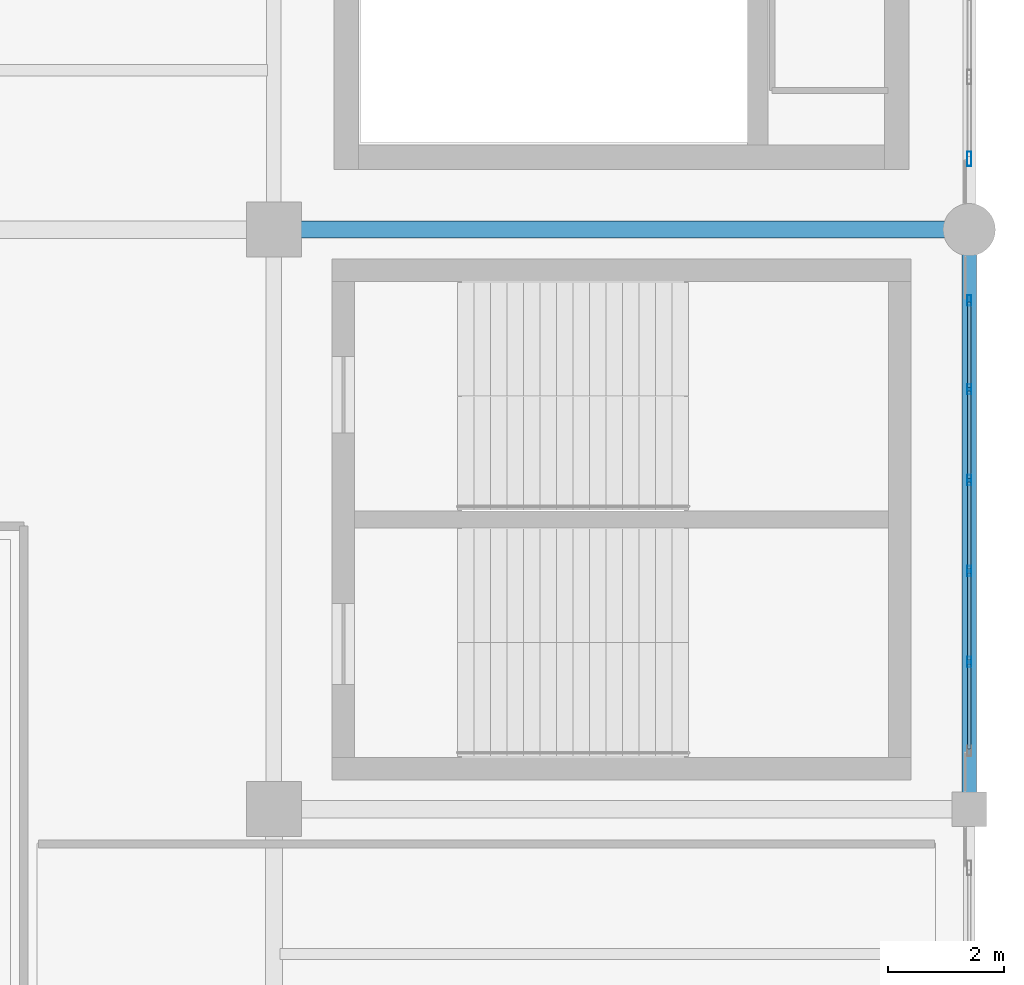
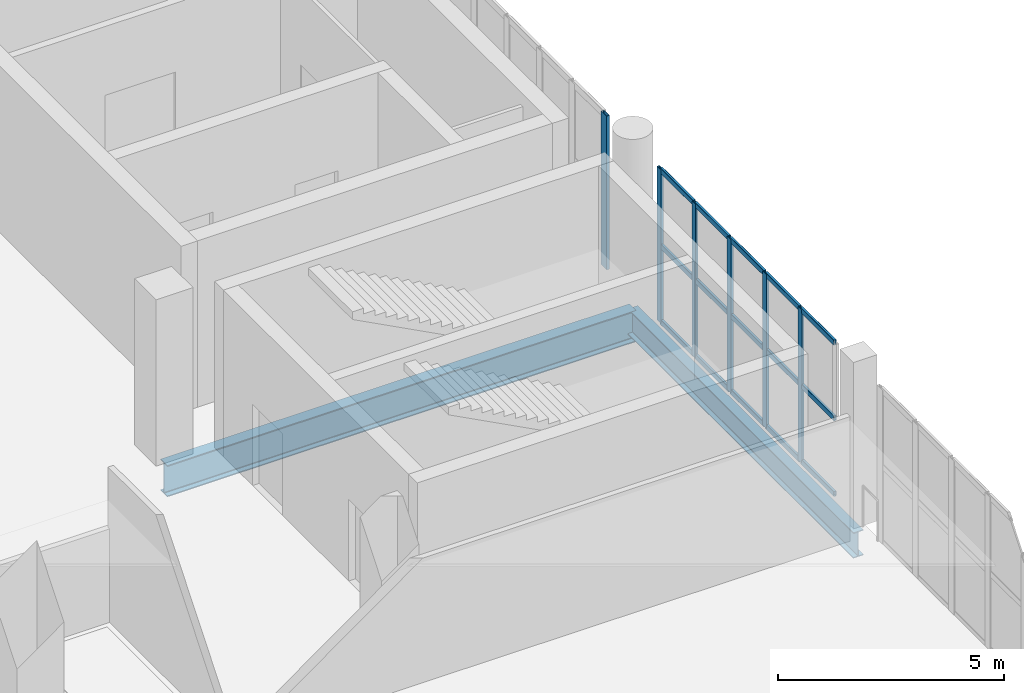
# One storey, part 42 of 90: 21 members, 2 beams, 2 elements without a shape of their own.
"""IFC4 building model written with IfcOpenShell, lengths in metres."""

from ifc_helpers import new_model, si_unit, direction, frame, origin, origin_2d, place, context, subcontext, project, spatial, hollow_rectangle, i_section, extrude, material, layer, layer_set, material_profile, profile_set, type_object, element, aggregate, save


model = new_model("IFC4")

# Units and contexts
model_context = context("Model", 3, precision=1e-05, world=origin(), true_north=direction((0.0, 1.0)))
body_context = subcontext(model_context, "Body", "Model", "MODEL_VIEW")
ifc_project = project(units=[si_unit("LENGTHUNIT", "METRE"), si_unit("AREAUNIT", "SQUARE_METRE"), si_unit("VOLUMEUNIT", "CUBIC_METRE"), si_unit("PLANEANGLEUNIT", "RADIAN"), si_unit("MASSUNIT", "GRAM", prefix="KILO")], contexts=[model_context])

# Site, building, storey
site_placement = place(None, origin())
site = spatial("IfcSite", under=ifc_project, at=site_placement, CompositionType="ELEMENT")
building_placement = place(site_placement, origin())
building = spatial("IfcBuilding", under=site, at=building_placement, Name="Brinegate Civic Arena", CompositionType="ELEMENT")
storey_placement = place(building_placement, frame((0.0, 0.0, 14.699951171875)))
storey = spatial("IfcBuildingStorey", under=building, at=storey_placement, Name="L03", CompositionType="ELEMENT", Elevation=14.699951171875)

# Curtain wall, members
ifc_material_1 = material(Name="Marine grade aluminium", Category="aluminium")
ifc_layer = layer(ifc_material_1, 0.199951171875, Name="Marine grade aluminium")
ifc_layer_set = layer_set([ifc_layer], Name="Marine grade aluminium")
curtain_wall_type = type_object("IfcCurtainWallType", Name="CW-BOWL-GLAZED-01", PredefinedType="USERDEFINED", material=ifc_layer_set)
curtain_wall_1_placement = place(storey_placement, origin())
curtain_wall_1 = element("IfcCurtainWall", 1, at=curtain_wall_1_placement, inside=storey, type_object=curtain_wall_type, Name="Curtain Wall CWA-116", ObjectType="GLAZED CURTAIN WALL", PredefinedType="USERDEFINED")
ifc_material_profile_1 = material_profile(ifc_material_1, hollow_rectangle(XDim=0.06494140625, YDim=0.179931640625, WallThickness=0.0048828125, InnerFilletRadius=0.00390625, OuterFilletRadius=0.008056640625, at=origin_2d()), Name="MUL65X180")
ifc_profile_set_1 = profile_set([ifc_material_profile_1], Name="Marine grade aluminium")
member_type_1 = type_object("IfcMemberType", Name="CW-MULLION-65X180", PredefinedType="MULLION", material=ifc_profile_set_1)
member_1_placement = place(storey_placement, frame((168.0, 74.5419921875, 0.0), z_axis=(0.0, 0.0, 1.0), x_axis=(-1.0, 0.0, 0.0)))
member_1 = element("IfcMember", 2, at=member_1_placement, type_object=member_type_1, Name="CWA-116 mullion 2", PredefinedType="MULLION", context=body_context, shape_type="SweptSolid", body=[
    extrude(hollow_rectangle(XDim=0.06494140625, YDim=0.179931640625, WallThickness=0.0048828125, InnerFilletRadius=0.00390625, OuterFilletRadius=0.008056640625, at=origin_2d()), origin(), (0.0, 0.0, 1.0), 4.16015625),
])
member_2_placement = place(storey_placement, frame((168.0, 76.110107421875, 0.0), z_axis=(0.0, 0.0, 1.0), x_axis=(-1.0, 0.0, 0.0)))
member_2 = element("IfcMember", 3, at=member_2_placement, type_object=member_type_1, Name="CWA-116 mullion 3", PredefinedType="MULLION", context=body_context, shape_type="SweptSolid", body=[
    extrude(hollow_rectangle(XDim=0.06494140625, YDim=0.179931640625, WallThickness=0.0048828125, InnerFilletRadius=0.00390625, OuterFilletRadius=0.008056640625, at=origin_2d()), origin(), (0.0, 0.0, 1.0), 4.16015625),
])
member_3_placement = place(storey_placement, frame((168.0, 77.677978515625, 0.0), z_axis=(0.0, 0.0, 1.0), x_axis=(-1.0, 0.0, 0.0)))
member_3 = element("IfcMember", 4, at=member_3_placement, type_object=member_type_1, Name="CWA-116 mullion 4", PredefinedType="MULLION", context=body_context, shape_type="SweptSolid", body=[
    extrude(hollow_rectangle(XDim=0.06494140625, YDim=0.179931640625, WallThickness=0.0048828125, InnerFilletRadius=0.00390625, OuterFilletRadius=0.008056640625, at=origin_2d()), origin(), (0.0, 0.0, 1.0), 4.16015625),
])
member_4_placement = place(storey_placement, frame((168.0, 79.24609375, 0.0), z_axis=(0.0, 0.0, 1.0), x_axis=(-1.0, 0.0, 0.0)))
member_4 = element("IfcMember", 5, at=member_4_placement, type_object=member_type_1, Name="CWA-116 mullion 5", PredefinedType="MULLION", context=body_context, shape_type="SweptSolid", body=[
    extrude(hollow_rectangle(XDim=0.06494140625, YDim=0.179931640625, WallThickness=0.0048828125, InnerFilletRadius=0.00390625, OuterFilletRadius=0.008056640625, at=origin_2d()), origin(), (0.0, 0.0, 1.0), 4.16015625),
])
member_5_placement = place(storey_placement, frame((168.0, 80.781494140625, 0.0), z_axis=(0.0, 0.0, 1.0), x_axis=(-1.0, 0.0, 0.0)))
member_5 = element("IfcMember", 6, at=member_5_placement, type_object=member_type_1, Name="CWA-116 mullion 6", PredefinedType="MULLION", context=body_context, shape_type="SweptSolid", body=[
    extrude(hollow_rectangle(XDim=0.06494140625, YDim=0.179931640625, WallThickness=0.0048828125, InnerFilletRadius=0.00390625, OuterFilletRadius=0.008056640625, at=origin_2d()), origin(), (0.0, 0.0, 1.0), 4.16015625),
])

# Curtain wall, member
curtain_wall_2_placement = place(storey_placement, origin())
curtain_wall_2 = element("IfcCurtainWall", 7, at=curtain_wall_2_placement, inside=storey, type_object=curtain_wall_type, Name="Curtain Wall CWA-118", ObjectType="GLAZED CURTAIN WALL", PredefinedType="USERDEFINED")
ifc_material_profile_2 = material_profile(ifc_material_1, hollow_rectangle(XDim=0.074951171875, YDim=0.25, WallThickness=0.006103515625, InnerFilletRadius=0.00390625, OuterFilletRadius=0.008056640625, at=origin_2d()), Name="MUL75X250")
ifc_profile_set_2 = profile_set([ifc_material_profile_2], Name="Marine grade aluminium")
member_type_2 = type_object("IfcMemberType", Name="CW-MULLION-75X250", PredefinedType="MULLION", material=ifc_profile_set_2)
member_6_placement = place(storey_placement, frame((168.0, 83.223388671875, 0.0), z_axis=(0.0, 0.0, 1.0), x_axis=(-1.0, 0.0, 0.0)))
member_6 = element("IfcMember", 8, at=member_6_placement, type_object=member_type_2, Name="CWA-118 mullion 1", PredefinedType="MULLION", context=body_context, shape_type="SweptSolid", body=[
    extrude(hollow_rectangle(XDim=0.074951171875, YDim=0.25, WallThickness=0.006103515625, InnerFilletRadius=0.00390625, OuterFilletRadius=0.008056640625, at=origin_2d()), origin(), (0.0, 0.0, 1.0), 4.16015625),
])
aggregate(curtain_wall_2, [member_6])

# Member
ifc_material_profile_3 = material_profile(ifc_material_1, hollow_rectangle(XDim=0.06494140625, YDim=0.139892578125, WallThickness=0.0048828125, InnerFilletRadius=0.00390625, OuterFilletRadius=0.008056640625, at=origin_2d()), Name="TRN65X140")
ifc_profile_set_3 = profile_set([ifc_material_profile_3], Name="Marine grade aluminium")
member_type_3 = type_object("IfcMemberType", Name="CW-TRANSOM-65X140", PredefinedType="USERDEFINED", material=ifc_profile_set_3)
member_7_placement = place(storey_placement, frame((168.0, 73.0390625, 0.032470703125), z_axis=(0.0, 1.0, 0.0), x_axis=(-1.0, 0.0, 0.0)))
member_7 = element("IfcMember", 9, at=member_7_placement, type_object=member_type_3, Name="CWA-116 transom 1.1", ObjectType="TRANSOM", PredefinedType="USERDEFINED", context=body_context, shape_type="SweptSolid", body=[
    extrude(hollow_rectangle(XDim=0.06494140625, YDim=0.139892578125, WallThickness=0.0048828125, InnerFilletRadius=0.00390625, OuterFilletRadius=0.008056640625, at=origin_2d()), origin(), (0.0, 0.0, 1.0), 1.470458984375),
])

member_8_placement = place(storey_placement, frame((168.0, 73.0390625, 2.080078125), z_axis=(0.0, 1.0, 0.0), x_axis=(-1.0, 0.0, 0.0)))
member_8 = element("IfcMember", 10, at=member_8_placement, type_object=member_type_3, Name="CWA-116 transom 1.2", ObjectType="TRANSOM", PredefinedType="USERDEFINED", context=body_context, shape_type="SweptSolid", body=[
    extrude(hollow_rectangle(XDim=0.06494140625, YDim=0.139892578125, WallThickness=0.0048828125, InnerFilletRadius=0.00390625, OuterFilletRadius=0.008056640625, at=origin_2d()), origin(), (0.0, 0.0, 1.0), 1.470458984375),
])

member_9_placement = place(storey_placement, frame((168.0, 73.0390625, 4.12744140625), z_axis=(0.0, 1.0, 0.0), x_axis=(-1.0, 0.0, 0.0)))
member_9 = element("IfcMember", 11, at=member_9_placement, type_object=member_type_3, Name="CWA-116 transom 1.3", ObjectType="TRANSOM", PredefinedType="USERDEFINED", context=body_context, shape_type="SweptSolid", body=[
    extrude(hollow_rectangle(XDim=0.06494140625, YDim=0.139892578125, WallThickness=0.0048828125, InnerFilletRadius=0.00390625, OuterFilletRadius=0.008056640625, at=origin_2d()), origin(), (0.0, 0.0, 1.0), 1.470458984375),
])

member_10_placement = place(storey_placement, frame((168.0, 74.574462890625, 0.032470703125), z_axis=(0.0, 1.0, 0.0), x_axis=(-1.0, 0.0, 0.0)))
member_10 = element("IfcMember", 12, at=member_10_placement, type_object=member_type_3, Name="CWA-116 transom 2.1", ObjectType="TRANSOM", PredefinedType="USERDEFINED", context=body_context, shape_type="SweptSolid", body=[
    extrude(hollow_rectangle(XDim=0.06494140625, YDim=0.139892578125, WallThickness=0.0048828125, InnerFilletRadius=0.00390625, OuterFilletRadius=0.008056640625, at=origin_2d()), origin(), (0.0, 0.0, 1.0), 1.5029296875),
])

member_11_placement = place(storey_placement, frame((168.0, 74.574462890625, 2.080078125), z_axis=(0.0, 1.0, 0.0), x_axis=(-1.0, 0.0, 0.0)))
member_11 = element("IfcMember", 13, at=member_11_placement, type_object=member_type_3, Name="CWA-116 transom 2.2", ObjectType="TRANSOM", PredefinedType="USERDEFINED", context=body_context, shape_type="SweptSolid", body=[
    extrude(hollow_rectangle(XDim=0.06494140625, YDim=0.139892578125, WallThickness=0.0048828125, InnerFilletRadius=0.00390625, OuterFilletRadius=0.008056640625, at=origin_2d()), origin(), (0.0, 0.0, 1.0), 1.5029296875),
])

member_12_placement = place(storey_placement, frame((168.0, 74.574462890625, 4.12744140625), z_axis=(0.0, 1.0, 0.0), x_axis=(-1.0, 0.0, 0.0)))
member_12 = element("IfcMember", 14, at=member_12_placement, type_object=member_type_3, Name="CWA-116 transom 2.3", ObjectType="TRANSOM", PredefinedType="USERDEFINED", context=body_context, shape_type="SweptSolid", body=[
    extrude(hollow_rectangle(XDim=0.06494140625, YDim=0.139892578125, WallThickness=0.0048828125, InnerFilletRadius=0.00390625, OuterFilletRadius=0.008056640625, at=origin_2d()), origin(), (0.0, 0.0, 1.0), 1.5029296875),
])

member_13_placement = place(storey_placement, frame((168.0, 76.142578125, 0.032470703125), z_axis=(0.0, 1.0, 0.0), x_axis=(-1.0, 0.0, 0.0)))
member_13 = element("IfcMember", 15, at=member_13_placement, type_object=member_type_3, Name="CWA-116 transom 3.1", ObjectType="TRANSOM", PredefinedType="USERDEFINED", context=body_context, shape_type="SweptSolid", body=[
    extrude(hollow_rectangle(XDim=0.06494140625, YDim=0.139892578125, WallThickness=0.0048828125, InnerFilletRadius=0.00390625, OuterFilletRadius=0.008056640625, at=origin_2d()), origin(), (0.0, 0.0, 1.0), 1.5029296875),
])

member_14_placement = place(storey_placement, frame((168.0, 76.142578125, 2.080078125), z_axis=(0.0, 1.0, 0.0), x_axis=(-1.0, 0.0, 0.0)))
member_14 = element("IfcMember", 16, at=member_14_placement, type_object=member_type_3, Name="CWA-116 transom 3.2", ObjectType="TRANSOM", PredefinedType="USERDEFINED", context=body_context, shape_type="SweptSolid", body=[
    extrude(hollow_rectangle(XDim=0.06494140625, YDim=0.139892578125, WallThickness=0.0048828125, InnerFilletRadius=0.00390625, OuterFilletRadius=0.008056640625, at=origin_2d()), origin(), (0.0, 0.0, 1.0), 1.5029296875),
])

member_15_placement = place(storey_placement, frame((168.0, 76.142578125, 4.12744140625), z_axis=(0.0, 1.0, 0.0), x_axis=(-1.0, 0.0, 0.0)))
member_15 = element("IfcMember", 17, at=member_15_placement, type_object=member_type_3, Name="CWA-116 transom 3.3", ObjectType="TRANSOM", PredefinedType="USERDEFINED", context=body_context, shape_type="SweptSolid", body=[
    extrude(hollow_rectangle(XDim=0.06494140625, YDim=0.139892578125, WallThickness=0.0048828125, InnerFilletRadius=0.00390625, OuterFilletRadius=0.008056640625, at=origin_2d()), origin(), (0.0, 0.0, 1.0), 1.5029296875),
])

member_16_placement = place(storey_placement, frame((168.0, 77.71044921875, 0.032470703125), z_axis=(0.0, 1.0, 0.0), x_axis=(-1.0, 0.0, 0.0)))
member_16 = element("IfcMember", 18, at=member_16_placement, type_object=member_type_3, Name="CWA-116 transom 4.1", ObjectType="TRANSOM", PredefinedType="USERDEFINED", context=body_context, shape_type="SweptSolid", body=[
    extrude(hollow_rectangle(XDim=0.06494140625, YDim=0.139892578125, WallThickness=0.0048828125, InnerFilletRadius=0.00390625, OuterFilletRadius=0.008056640625, at=origin_2d()), origin(), (0.0, 0.0, 1.0), 1.5029296875),
])

member_17_placement = place(storey_placement, frame((168.0, 77.71044921875, 2.080078125), z_axis=(0.0, 1.0, 0.0), x_axis=(-1.0, 0.0, 0.0)))
member_17 = element("IfcMember", 19, at=member_17_placement, type_object=member_type_3, Name="CWA-116 transom 4.2", ObjectType="TRANSOM", PredefinedType="USERDEFINED", context=body_context, shape_type="SweptSolid", body=[
    extrude(hollow_rectangle(XDim=0.06494140625, YDim=0.139892578125, WallThickness=0.0048828125, InnerFilletRadius=0.00390625, OuterFilletRadius=0.008056640625, at=origin_2d()), origin(), (0.0, 0.0, 1.0), 1.5029296875),
])

member_18_placement = place(storey_placement, frame((168.0, 77.71044921875, 4.12744140625), z_axis=(0.0, 1.0, 0.0), x_axis=(-1.0, 0.0, 0.0)))
member_18 = element("IfcMember", 20, at=member_18_placement, type_object=member_type_3, Name="CWA-116 transom 4.3", ObjectType="TRANSOM", PredefinedType="USERDEFINED", context=body_context, shape_type="SweptSolid", body=[
    extrude(hollow_rectangle(XDim=0.06494140625, YDim=0.139892578125, WallThickness=0.0048828125, InnerFilletRadius=0.00390625, OuterFilletRadius=0.008056640625, at=origin_2d()), origin(), (0.0, 0.0, 1.0), 1.5029296875),
])

member_19_placement = place(storey_placement, frame((168.0, 79.278564453125, 0.032470703125), z_axis=(0.0, 1.0, 0.0), x_axis=(-1.0, 0.0, 0.0)))
member_19 = element("IfcMember", 21, at=member_19_placement, type_object=member_type_3, Name="CWA-116 transom 5.1", ObjectType="TRANSOM", PredefinedType="USERDEFINED", context=body_context, shape_type="SweptSolid", body=[
    extrude(hollow_rectangle(XDim=0.06494140625, YDim=0.139892578125, WallThickness=0.0048828125, InnerFilletRadius=0.00390625, OuterFilletRadius=0.008056640625, at=origin_2d()), origin(), (0.0, 0.0, 1.0), 1.470458984375),
])

member_20_placement = place(storey_placement, frame((168.0, 79.278564453125, 2.080078125), z_axis=(0.0, 1.0, 0.0), x_axis=(-1.0, 0.0, 0.0)))
member_20 = element("IfcMember", 22, at=member_20_placement, type_object=member_type_3, Name="CWA-116 transom 5.2", ObjectType="TRANSOM", PredefinedType="USERDEFINED", context=body_context, shape_type="SweptSolid", body=[
    extrude(hollow_rectangle(XDim=0.06494140625, YDim=0.139892578125, WallThickness=0.0048828125, InnerFilletRadius=0.00390625, OuterFilletRadius=0.008056640625, at=origin_2d()), origin(), (0.0, 0.0, 1.0), 1.470458984375),
])

member_21_placement = place(storey_placement, frame((168.0, 79.278564453125, 4.12744140625), z_axis=(0.0, 1.0, 0.0), x_axis=(-1.0, 0.0, 0.0)))
member_21 = element("IfcMember", 23, at=member_21_placement, type_object=member_type_3, Name="CWA-116 transom 5.3", ObjectType="TRANSOM", PredefinedType="USERDEFINED", context=body_context, shape_type="SweptSolid", body=[
    extrude(hollow_rectangle(XDim=0.06494140625, YDim=0.139892578125, WallThickness=0.0048828125, InnerFilletRadius=0.00390625, OuterFilletRadius=0.008056640625, at=origin_2d()), origin(), (0.0, 0.0, 1.0), 1.470458984375),
])

aggregate(curtain_wall_1, [member_1, member_2, member_3, member_4, member_5, member_7, member_8, member_9, member_10, member_11, member_12, member_13, member_14, member_15, member_16, member_17, member_18, member_19, member_20, member_21])

# Beams
ifc_material_2 = material(Name="Steel S355", Category="steel")
ifc_material_profile_4 = material_profile(ifc_material_2, i_section(OverallWidth=0.2939453125, OverallDepth=0.85107421875, WebThickness=0.01611328125, FlangeThickness=0.027099609375, FilletRadius=0.02197265625, at=origin_2d()), Name="W840X226")
ifc_profile_set_4 = profile_set([ifc_material_profile_4], Name="Steel S355")
beam_type_1 = type_object("IfcBeamType", Name="GIRDER-W840X226", PredefinedType="BEAM", material=ifc_profile_set_4)
beam_1_placement = place(storey_placement, frame((156.0, 82.0, -0.77490234375), z_axis=(1.0, 0.0, 0.0), x_axis=(0.0, 1.0, 0.0)))
element("IfcBeam", 24, at=beam_1_placement, inside=storey, type_object=beam_type_1, Name="Floor Girder BM-L03-GX-13-08", PredefinedType="BEAM", context=body_context, shape_type="SweptSolid", body=[
    extrude(i_section(OverallWidth=0.2939453125, OverallDepth=0.85107421875, WebThickness=0.01611328125, FlangeThickness=0.027099609375, FilletRadius=0.02197265625, at=origin_2d()), origin(), (0.0, 0.0, 1.0), 12.0),
])
ifc_material_profile_5 = material_profile(ifc_material_2, i_section(OverallWidth=0.256103515625, OverallDepth=0.693115234375, WebThickness=0.014892578125, FlangeThickness=0.02392578125, FilletRadius=0.01806640625, at=origin_2d()), Name="W690X170")
ifc_profile_set_5 = profile_set([ifc_material_profile_5], Name="Steel S355")
beam_type_2 = type_object("IfcBeamType", Name="SPANDREL-W690X170", PredefinedType="SPANDREL", material=ifc_profile_set_5)
beam_2_placement = place(storey_placement, frame((168.0, 72.0, -0.696044921875), z_axis=(0.0, 1.0, 0.0), x_axis=(-1.0, 0.0, 0.0)))
element("IfcBeam", 25, at=beam_2_placement, inside=storey, type_object=beam_type_2, Name="Floor Girder BM-L03-GY-14-07", PredefinedType="SPANDREL", context=body_context, shape_type="SweptSolid", body=[
    extrude(i_section(OverallWidth=0.256103515625, OverallDepth=0.693115234375, WebThickness=0.014892578125, FlangeThickness=0.02392578125, FilletRadius=0.01806640625, at=origin_2d()), origin(), (0.0, 0.0, 1.0), 10.0),
])

save(model, "model.ifc")
